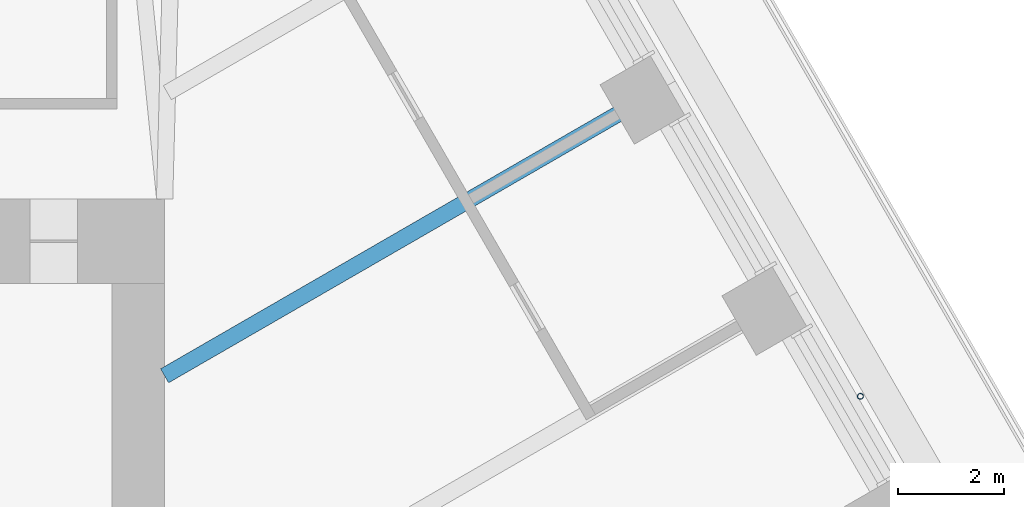
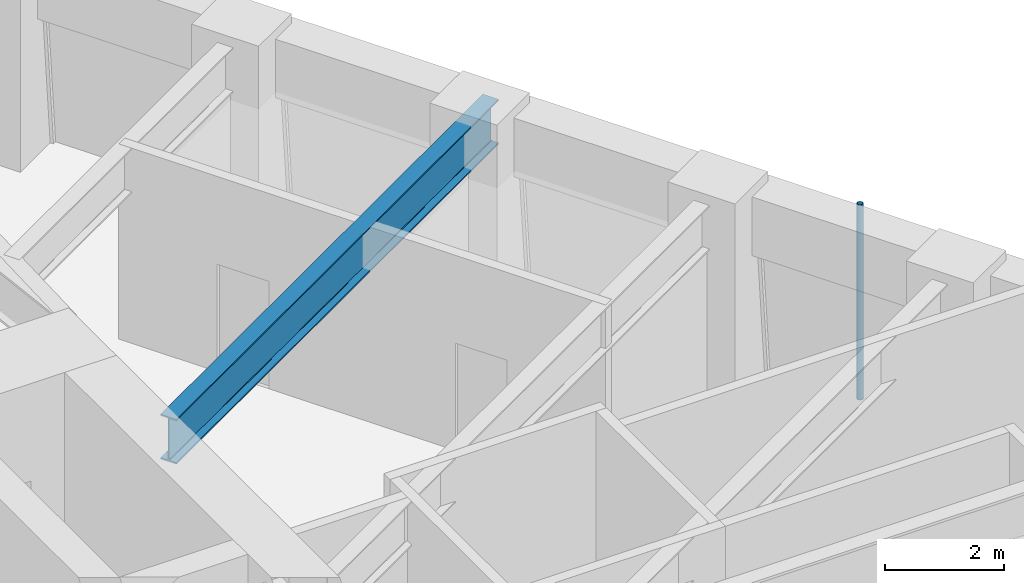
# One storey, part 10 of 20: 1 beam, 1 member.
"""IFC4 building model written with IfcOpenShell, lengths in metres."""

from ifc_helpers import new_model, si_unit, direction, frame, origin, origin_2d, place, context, subcontext, project, spatial, hollow_circle, i_section, extrude, material, material_profile, profile_set, type_object, element, save


model = new_model("IFC4")

# Units and contexts
model_context = context("Model", 3, precision=1e-05, world=origin(), true_north=direction((0.0, 1.0)))
body_context = subcontext(model_context, "Body", "Model", "MODEL_VIEW")
ifc_project = project(units=[si_unit("LENGTHUNIT", "METRE"), si_unit("AREAUNIT", "SQUARE_METRE"), si_unit("VOLUMEUNIT", "CUBIC_METRE"), si_unit("PLANEANGLEUNIT", "RADIAN"), si_unit("MASSUNIT", "GRAM", prefix="KILO")], contexts=[model_context])

# Site, building, storey
site_placement = place(None, origin())
site = spatial("IfcSite", under=ifc_project, at=site_placement, CompositionType="ELEMENT")
building_placement = place(site_placement, origin())
building = spatial("IfcBuilding", under=site, at=building_placement, Name="Tarfa Lantern Tower", CompositionType="ELEMENT")
storey_placement = place(building_placement, frame((0.0, 0.0, 253.300048828125)))
storey = spatial("IfcBuildingStorey", under=building, at=storey_placement, Name="L57", CompositionType="ELEMENT", Elevation=253.300048828125)

# Member
ifc_material_1 = material(Name="Steel S355", Category="steel")
ifc_material_profile_1 = material_profile(ifc_material_1, hollow_circle(Radius=0.05712890625, WallThickness=0.00634765625, at=origin_2d()), Name="CHS114.3x6.3")
ifc_profile_set_1 = profile_set([ifc_material_profile_1], Name="Steel S355")
member_type = type_object("IfcMemberType", Name="TR1 GREEN WALL TRELLIS CHS114.3x6.3", PredefinedType="USERDEFINED", material=ifc_profile_set_1)
member_placement = place(storey_placement, frame((28.682861328125, 8.56005859375, 0.0), z_axis=(0.0, 0.0, 1.0), x_axis=(1.0, 0.0, 0.0)))
element("IfcMember", 1, at=member_placement, inside=storey, type_object=member_type, Name="Trellis post NE 1", ObjectType="TRELLIS", PredefinedType="USERDEFINED", context=body_context, shape_type="SweptSolid", body=[
    extrude(hollow_circle(Radius=0.05712890625, WallThickness=0.00634765625, at=origin_2d()), origin(), (0.0, 0.0, 1.0), 4.0),
])

# Beam
ifc_material_2 = material(Name="Steel S460M", Category="steel")
ifc_material_profile_2 = material_profile(ifc_material_2, i_section(OverallWidth=0.305419921875, OverallDepth=0.91845703125, WebThickness=0.017333984375, FlangeThickness=0.02783203125, FilletRadius=0.01904296875, at=origin_2d()), Name="UB914x305x253")
ifc_profile_set_2 = profile_set([ifc_material_profile_2], Name="Steel S460M")
beam_type = type_object("IfcBeamType", Name="UB914x305x253", PredefinedType="BEAM", material=ifc_profile_set_2)
beam_placement = place(storey_placement, frame((24.872314453125, 14.360107421875, 3.540771484375), z_axis=(-0.8660244219, -0.500001700669, 0.0), x_axis=(0.500001700669, -0.8660244219, 0.0)))
element("IfcBeam", 2, at=beam_placement, inside=storey, type_object=beam_type, Name="Floor beam NE3", PredefinedType="BEAM", context=body_context, shape_type="SweptSolid", body=[
    extrude(i_section(OverallWidth=0.305419921875, OverallDepth=0.91845703125, WebThickness=0.017333984375, FlangeThickness=0.02783203125, FilletRadius=0.01904296875, at=origin_2d()), origin(), (0.0, 0.0, 1.0), 10.822265625),
])

save(model, "model.ifc")
